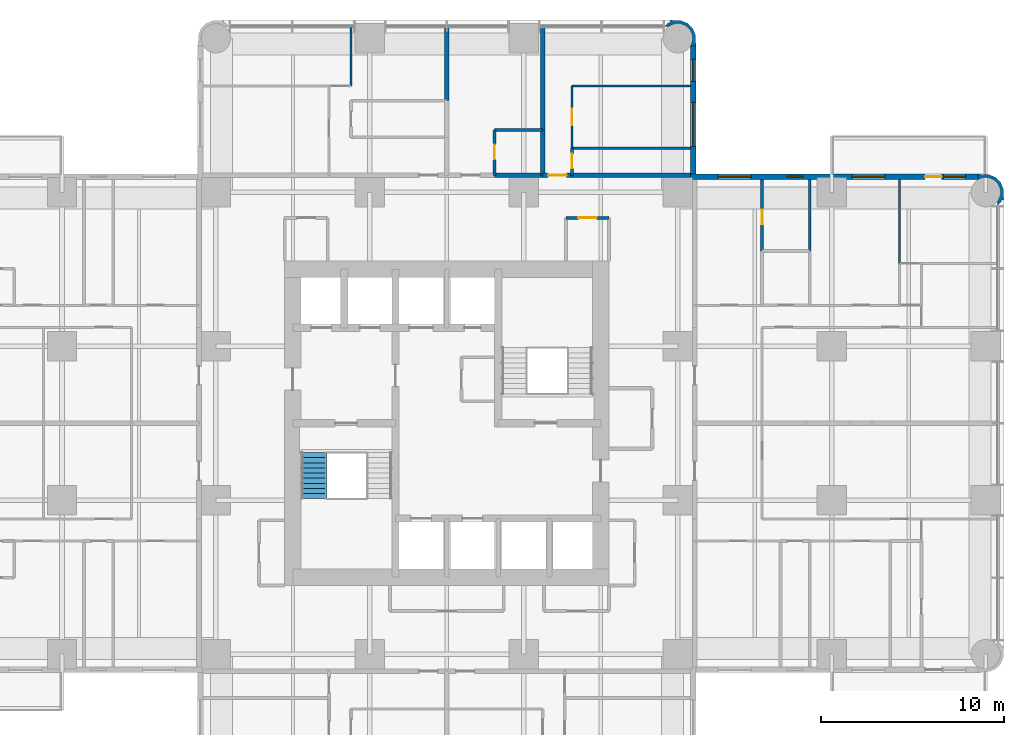
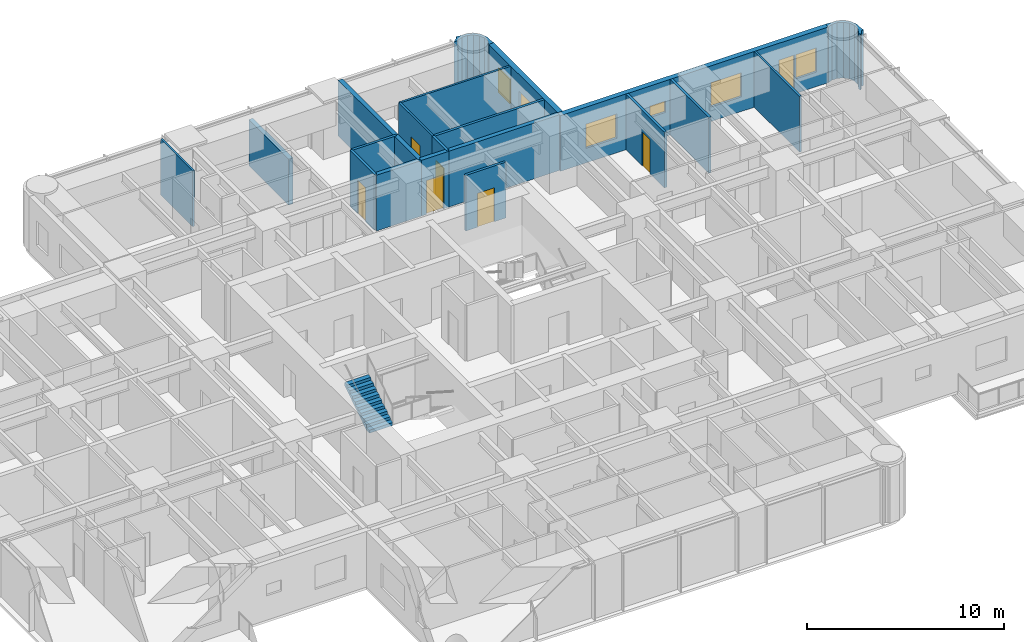
# One storey, part 12 of 15: 21 walls, 7 doors, 6 windows, 1 stair flight, 13 openings, 1 element without a shape of its own.
"""IFC4 building model written with IfcOpenShell, lengths in metres."""

from ifc_helpers import new_model, si_unit, direction, frame, frame_2d, origin, place, context, subcontext, project, spatial, polyline, rectangle, outline, extrude, material, layer, layer_set, type_object, element, fill, aggregate, save


model = new_model("IFC4")

# Units and contexts
model_context = context("Model", 3, precision=1e-05, world=origin(), true_north=direction((0.0, 1.0)))
body_context = subcontext(model_context, "Body", "Model", "MODEL_VIEW")
ifc_project = project(units=[si_unit("LENGTHUNIT", "METRE"), si_unit("AREAUNIT", "SQUARE_METRE"), si_unit("VOLUMEUNIT", "CUBIC_METRE"), si_unit("PLANEANGLEUNIT", "RADIAN"), si_unit("MASSUNIT", "GRAM", prefix="KILO")], contexts=[model_context])

# Site, building, storey
site_placement = place(None, origin())
site = spatial("IfcSite", under=ifc_project, at=site_placement, CompositionType="ELEMENT")
building_placement = place(site_placement, origin())
building = spatial("IfcBuilding", under=site, at=building_placement, Name="Torre Alcanfor", CompositionType="ELEMENT")
storey_placement = place(building_placement, frame((0.0, 0.0, 148.5)))
storey = spatial("IfcBuildingStorey", under=building, at=storey_placement, Name="L38", CompositionType="ELEMENT", Elevation=148.5)

# Wall
ifc_material_1 = material(Name="Concrete block masonry, hollow blocks NMX-C-404 9 MPa", Category="masonry")
ifc_layer_1 = layer(ifc_material_1, 0.25)
ifc_layer_set_1 = layer_set([ifc_layer_1], Name="Apartment entrance wall 250 EI 60")
wall_type_1 = type_object("IfcWallType", Name="Apartment entrance wall 250 EI 60", PredefinedType="PARTITIONING", material=ifc_layer_set_1)
wall_1_placement = place(storey_placement, frame((32.0, 42.925048828125, 0.0), z_axis=(0.0, 0.0, 1.0), x_axis=(1.0, 0.0, 0.0)))
element("IfcWall", 1, at=wall_1_placement, inside=storey, type_object=wall_type_1, Name="Partition L38-CORR / L38-N2A-BATH", PredefinedType="PARTITIONING", context=body_context, shape_type="SweptSolid", body=[
    extrude(rectangle(XDim=2.62890625, YDim=0.25, at=frame_2d((1.314453125, 0.0))), origin(), (0.0, 0.0, 1.0), 3.449951171875),
])

# Wall, opening, door
wall_2_placement = place(storey_placement, frame((34.62890625, 42.925048828125, 0.0), z_axis=(0.0, 0.0, 1.0), x_axis=(1.0, 0.0, 0.0)))
wall_2 = element("IfcWall", 2, at=wall_2_placement, inside=storey, type_object=wall_type_1, Name="Partition L38-CORR / L38-N2B-LIVING", PredefinedType="PARTITIONING", context=body_context, shape_type="SweptSolid", body=[
    extrude(rectangle(XDim=1.60009765625, YDim=0.25, at=frame_2d((0.800048828125, 0.0))), origin(), (0.0, 0.0, 1.0), 3.449951171875),
])
opening_1_placement = place(wall_2_placement, frame((0.300048828125, 0.0, 0.0)))
opening_1 = element("IfcOpeningElement", 3, at=opening_1_placement, cuts=wall_2, Name="Opening D-A1", PredefinedType="OPENING", context=body_context, shape_type="SweptSolid", body=[
    extrude(rectangle(XDim=1.0, YDim=2.10009765625, at=frame_2d((0.5, 1.050048828125))), frame((0.0, 0.135009765625, 0.0), z_axis=(0.0, -1.0, 0.0), x_axis=(1.0, 0.0, 0.0)), (0.0, 0.0, 1.0), 0.27001953125),
])
ifc_material_2 = material(Name="Galvanised steel sheet ASTM A653", Category="steel")
door_type_1 = type_object("IfcDoorType", Name="Apartment entrance door FD60 1000x2100", OperationType="SINGLE_SWING_LEFT", PredefinedType="DOOR", material=ifc_material_2)
door_1_placement = place(opening_1_placement, origin())
door_1 = element("IfcDoor", 4, at=door_1_placement, inside=storey, type_object=door_type_1, Name="Apartment entrance L38-N2B", OperationType="SINGLE_SWING_LEFT", OverallHeight=2.10009765625, OverallWidth=1.0, PredefinedType="DOOR", context=body_context, shape_type="SweptSolid", body=[
    extrude(rectangle(XDim=1.0, YDim=2.10009765625, at=frame_2d((0.5, 1.050048828125))), frame((0.0, 0.02490234375, 0.0), z_axis=(0.0, -1.0, 0.0), x_axis=(1.0, 0.0, 0.0)), (0.0, 0.0, 1.0), 0.050048828125),
])
fill(opening_1, door_1)

# Walls
wall_3_placement = place(storey_placement, frame((36.22900390625, 42.925048828125, 0.0), z_axis=(0.0, 0.0, 1.0), x_axis=(1.0, 0.0, 0.0)))
element("IfcWall", 5, at=wall_3_placement, inside=storey, type_object=wall_type_1, Name="Partition L38-CORR / L38-N2B-BATH", PredefinedType="PARTITIONING", context=body_context, shape_type="SweptSolid", body=[
    extrude(rectangle(XDim=6.470947265625, YDim=0.25, at=frame_2d((3.2353515625, 0.0))), origin(), (0.0, 0.0, 1.0), 3.449951171875),
])
ifc_material_3 = material(Name="Gypsum board on steel studs", Category="steel")
ifc_layer_2 = layer(ifc_material_3, 0.1201171875)
ifc_layer_set_2 = layer_set([ifc_layer_2], Name="Apartment partition 120")
wall_type_2 = type_object("IfcWallType", Name="Apartment partition 120", PredefinedType="PARTITIONING", material=ifc_layer_set_2)
wall_4_placement = place(storey_placement, frame((24.1708984375, 47.800048828125, 0.0), z_axis=(0.0, 0.0, 1.0), x_axis=(0.0, 1.0, 0.0)))
element("IfcWall", 6, at=wall_4_placement, inside=storey, type_object=wall_type_2, Name="Partition L38-N1-LIVING / L38-N1-MASTER", PredefinedType="PARTITIONING", context=body_context, shape_type="SweptSolid", body=[
    extrude(rectangle(XDim=3.25, YDim=0.1201171875, at=frame_2d((1.625, 0.0))), origin(), (0.0, 0.0, 1.0), 3.449951171875),
])
wall_5_placement = place(storey_placement, frame((42.699951171875, 47.800048828125, 0.0), z_axis=(0.0, 0.0, 1.0), x_axis=(-1.0, 0.0, 0.0)))
element("IfcWall", 7, at=wall_5_placement, inside=storey, type_object=wall_type_2, Name="Partition L38-N2B-LIVING / L38-N2B-MASTER", PredefinedType="PARTITIONING", context=body_context, shape_type="SweptSolid", body=[
    extrude(rectangle(XDim=6.470947265625, YDim=0.1201171875, at=frame_2d((3.2353515625, 0.0))), origin(), (0.0, 0.0, 1.0), 3.449951171875),
])

# Wall, opening, door
wall_6_placement = place(storey_placement, frame((36.22900390625, 47.800048828125, 0.0), z_axis=(0.0, 0.0, 1.0), x_axis=(0.0, -1.0, 0.0)))
wall_6 = element("IfcWall", 8, at=wall_6_placement, inside=storey, type_object=wall_type_2, Name="Partition L38-N2B-LIVING / L38-N2B-MASTER", PredefinedType="PARTITIONING", context=body_context, shape_type="SweptSolid", body=[
    extrude(rectangle(XDim=3.400146484375, YDim=0.1201171875, at=frame_2d((1.7001953125, 0.0))), origin(), (0.0, 0.0, 1.0), 3.449951171875),
])
opening_2_placement = place(wall_6_placement, frame((1.25, 0.0, 0.0)))
opening_2 = element("IfcOpeningElement", 9, at=opening_2_placement, cuts=wall_6, Name="Opening D-R1", PredefinedType="OPENING", context=body_context, shape_type="SweptSolid", body=[
    extrude(rectangle(XDim=0.89990234375, YDim=2.10009765625, at=frame_2d((0.449951171875, 1.050048828125))), frame((0.0, 0.070068359375, 0.0), z_axis=(0.0, -1.0, 0.0), x_axis=(1.0, 0.0, 0.0)), (0.0, 0.0, 1.0), 0.14013671875),
])
ifc_material_4 = material(Name="Timber", Category="wood")
door_type_2 = type_object("IfcDoorType", Name="Internal door 900x2100", OperationType="SINGLE_SWING_LEFT", PredefinedType="DOOR", material=ifc_material_4)
door_2_placement = place(opening_2_placement, origin())
door_2 = element("IfcDoor", 10, at=door_2_placement, inside=storey, type_object=door_type_2, Name="Door L38-N2B master", OperationType="SINGLE_SWING_LEFT", OverallHeight=2.10009765625, OverallWidth=0.89990234375, PredefinedType="DOOR", context=body_context, shape_type="SweptSolid", body=[
    extrude(rectangle(XDim=0.89990234375, YDim=2.10009765625, at=frame_2d((0.449951171875, 1.050048828125))), frame((0.0, 0.02490234375, 0.0), z_axis=(0.0, -1.0, 0.0), x_axis=(1.0, 0.0, 0.0)), (0.0, 0.0, 1.0), 0.050048828125),
])
fill(opening_2, door_2)

# Wall
wall_7_placement = place(storey_placement, frame((54.10009765625, 38.114013671875, 0.0), z_axis=(0.0, 0.0, 1.0), x_axis=(0.0, 1.0, 0.0)))
element("IfcWall", 11, at=wall_7_placement, inside=storey, type_object=wall_type_2, Name="Partition L38-E1-BED3 / L38-E1-MASTER", PredefinedType="PARTITIONING", context=body_context, shape_type="SweptSolid", body=[
    extrude(rectangle(XDim=4.5859375, YDim=0.1201171875, at=frame_2d((2.29296875, 0.0))), origin(), (0.0, 0.0, 1.0), 3.449951171875),
])

# Wall, openings, door, windows
ifc_material_5 = material(Name="Limestone cladding", Category="masonry")
ifc_layer_3 = layer(ifc_material_5, 0.0400390625, Name="Facing")
ifc_material_6 = material(Name="Ventilated air cavity")
ifc_layer_4 = layer(ifc_material_6, 0.02001953125, ventilated=True, Name="Ventilated joint")
ifc_material_7 = material(Name="Mineral wool insulation", Category="insulation")
ifc_layer_5 = layer(ifc_material_7, 0.10009765625, Name="Insulation")
ifc_material_8 = material(Name="Concrete f'c 35 MPa", Category="concrete")
ifc_layer_6 = layer(ifc_material_8, 0.139892578125, Name="Backing")
ifc_layer_set_3 = layer_set([ifc_layer_3, ifc_layer_4, ifc_layer_5, ifc_layer_6], Name="External wall stone-clad 300")
wall_type_3 = type_object("IfcWallType", Name="External wall stone-clad 300", PredefinedType="SOLIDWALL", material=ifc_layer_set_3)
wall_8_placement = place(storey_placement, frame((58.39990234375, 42.85009765625, 0.0), z_axis=(0.0, 0.0, 1.0), x_axis=(-1.0, 0.0, 0.0)))
wall_8 = element("IfcWall", 12, at=wall_8_placement, inside=storey, type_object=wall_type_3, Name="External wall L38 9", PredefinedType="SOLIDWALL", context=body_context, shape_type="SweptSolid", body=[
    extrude(rectangle(XDim=15.699951171875, YDim=0.300048828125, at=frame_2d((7.85009765625, 0.0))), origin(), (0.0, 0.0, 1.0), 3.449951171875),
])
opening_3_placement = place(wall_8_placement, frame((12.39990234375, 0.0, 0.89990234375)))
opening_3 = element("IfcOpeningElement", 13, at=opening_3_placement, cuts=wall_8, Name="Opening W2", PredefinedType="OPENING", context=body_context, shape_type="SweptSolid", body=[
    extrude(rectangle(XDim=1.800048828125, YDim=1.5, at=frame_2d((0.89990234375, 0.75))), frame((0.0, 0.159912109375, 0.0), z_axis=(0.0, -1.0, 0.0), x_axis=(1.0, 0.0, 0.0)), (0.0, 0.0, 1.0), 0.320068359375),
])
opening_4_placement = place(wall_8_placement, frame((9.550048828125, 0.0, 1.5)))
opening_4 = element("IfcOpeningElement", 14, at=opening_4_placement, cuts=wall_8, Name="Opening W3", PredefinedType="OPENING", context=body_context, shape_type="SweptSolid", body=[
    extrude(rectangle(XDim=0.89990234375, YDim=0.699951171875, at=frame_2d((0.449951171875, 0.35009765625))), frame((0.0, 0.159912109375, 0.0), z_axis=(0.0, -1.0, 0.0), x_axis=(1.0, 0.0, 0.0)), (0.0, 0.0, 1.0), 0.320068359375),
])
opening_5_placement = place(wall_8_placement, frame((5.10009765625, 0.0, 0.89990234375)))
opening_5 = element("IfcOpeningElement", 15, at=opening_5_placement, cuts=wall_8, Name="Opening W2", PredefinedType="OPENING", context=body_context, shape_type="SweptSolid", body=[
    extrude(rectangle(XDim=1.800048828125, YDim=1.5, at=frame_2d((0.89990234375, 0.75))), frame((0.0, 0.159912109375, 0.0), z_axis=(0.0, -1.0, 0.0), x_axis=(1.0, 0.0, 0.0)), (0.0, 0.0, 1.0), 0.320068359375),
])
opening_6_placement = place(wall_8_placement, frame((2.0, 0.0, 0.0)))
opening_6 = element("IfcOpeningElement", 16, at=opening_6_placement, cuts=wall_8, Name="Opening D-B1", PredefinedType="OPENING", context=body_context, shape_type="SweptSolid", body=[
    extrude(rectangle(XDim=0.89990234375, YDim=2.39990234375, at=frame_2d((0.449951171875, 1.199951171875))), frame((0.0, 0.159912109375, 0.0), z_axis=(0.0, -1.0, 0.0), x_axis=(1.0, 0.0, 0.0)), (0.0, 0.0, 1.0), 0.320068359375),
])
opening_7_placement = place(wall_8_placement, frame((0.699951171875, 0.0, 0.89990234375)))
opening_7 = element("IfcOpeningElement", 17, at=opening_7_placement, cuts=wall_8, Name="Opening W4", PredefinedType="OPENING", context=body_context, shape_type="SweptSolid", body=[
    extrude(rectangle(XDim=1.199951171875, YDim=1.5, at=frame_2d((0.60009765625, 0.75))), frame((0.0, 0.159912109375, 0.0), z_axis=(0.0, -1.0, 0.0), x_axis=(1.0, 0.0, 0.0)), (0.0, 0.0, 1.0), 0.320068359375),
])
ifc_material_9 = material(Name="Aluminium and glass", Category="aluminium")
door_type_3 = type_object("IfcDoorType", Name="Balcony door glazed 900x2400", OperationType="SINGLE_SWING_LEFT", PredefinedType="DOOR", material=ifc_material_9)
door_3_placement = place(opening_6_placement, origin())
door_3 = element("IfcDoor", 18, at=door_3_placement, inside=storey, type_object=door_type_3, Name="Balcony door L38-E1", OperationType="SINGLE_SWING_RIGHT", OverallHeight=2.39990234375, OverallWidth=0.89990234375, PredefinedType="DOOR", context=body_context, shape_type="SweptSolid", body=[
    extrude(rectangle(XDim=0.89990234375, YDim=2.39990234375, at=frame_2d((0.449951171875, 1.199951171875))), frame((0.0, 0.02490234375, 0.0), z_axis=(0.0, -1.0, 0.0), x_axis=(1.0, 0.0, 0.0)), (0.0, 0.0, 1.0), 0.050048828125),
])
fill(opening_6, door_3)
ifc_material_10 = material(Name="Aluminium frame with clear double glazing", Category="aluminium")
window_type_1 = type_object("IfcWindowType", Name="Window bathroom 900x700", PartitioningType="SINGLE_PANEL", PredefinedType="WINDOW", material=ifc_material_10)
window_1_placement = place(opening_4_placement, origin())
window_1 = element("IfcWindow", 19, at=window_1_placement, inside=storey, type_object=window_type_1, Name="Window W3 L38-E1", OverallHeight=0.699951171875, OverallWidth=0.89990234375, PartitioningType="SINGLE_PANEL", PredefinedType="WINDOW", context=body_context, shape_type="SweptSolid", body=[
    extrude(rectangle(XDim=0.89990234375, YDim=0.699951171875, at=frame_2d((0.449951171875, 0.35009765625))), frame((0.0, 0.030029296875, 0.0), z_axis=(0.0, -1.0, 0.0), x_axis=(1.0, 0.0, 0.0)), (0.0, 0.0, 1.0), 0.06005859375),
])
fill(opening_4, window_1)
ifc_material_11 = material(Name="Aluminium frame with clear double glazing", Category="aluminium")
window_type_2 = type_object("IfcWindowType", Name="Window bedroom 1200x1500", PartitioningType="SINGLE_PANEL", PredefinedType="WINDOW", material=ifc_material_11)
window_2_placement = place(opening_7_placement, origin())
window_2 = element("IfcWindow", 20, at=window_2_placement, inside=storey, type_object=window_type_2, Name="Window W4 L38-E1", OverallHeight=1.5, OverallWidth=1.199951171875, PartitioningType="SINGLE_PANEL", PredefinedType="WINDOW", context=body_context, shape_type="SweptSolid", body=[
    extrude(rectangle(XDim=1.199951171875, YDim=1.5, at=frame_2d((0.60009765625, 0.75))), frame((0.0, 0.030029296875, 0.0), z_axis=(0.0, -1.0, 0.0), x_axis=(1.0, 0.0, 0.0)), (0.0, 0.0, 1.0), 0.06005859375),
])
fill(opening_7, window_2)
ifc_material_12 = material(Name="Aluminium frame with clear double glazing", Category="aluminium")
window_type_3 = type_object("IfcWindowType", Name="Window bedroom 1800x1500", PartitioningType="SINGLE_PANEL", PredefinedType="WINDOW", material=ifc_material_12)
window_3_placement = place(opening_3_placement, origin())
window_3 = element("IfcWindow", 21, at=window_3_placement, inside=storey, type_object=window_type_3, Name="Window W2 L38-E1", OverallHeight=1.5, OverallWidth=1.800048828125, PartitioningType="SINGLE_PANEL", PredefinedType="WINDOW", context=body_context, shape_type="SweptSolid", body=[
    extrude(rectangle(XDim=1.800048828125, YDim=1.5, at=frame_2d((0.89990234375, 0.75))), frame((0.0, 0.030029296875, 0.0), z_axis=(0.0, -1.0, 0.0), x_axis=(1.0, 0.0, 0.0)), (0.0, 0.0, 1.0), 0.06005859375),
])
fill(opening_3, window_3)
window_4_placement = place(opening_5_placement, origin())
window_4 = element("IfcWindow", 22, at=window_4_placement, inside=storey, type_object=window_type_3, Name="Window W2 L38-E1", OverallHeight=1.5, OverallWidth=1.800048828125, PartitioningType="SINGLE_PANEL", PredefinedType="WINDOW", context=body_context, shape_type="SweptSolid", body=[
    extrude(rectangle(XDim=1.800048828125, YDim=1.5, at=frame_2d((0.89990234375, 0.75))), frame((0.0, 0.030029296875, 0.0), z_axis=(0.0, -1.0, 0.0), x_axis=(1.0, 0.0, 0.0)), (0.0, 0.0, 1.0), 0.06005859375),
])
fill(opening_5, window_4)

# Wall, openings, windows
wall_9_placement = place(storey_placement, frame((42.85009765625, 43.0, 0.0), z_axis=(0.0, 0.0, 1.0), x_axis=(0.0, 1.0, 0.0)))
wall_9 = element("IfcWall", 23, at=wall_9_placement, inside=storey, type_object=wall_type_3, Name="External wall L38 10", PredefinedType="SOLIDWALL", context=body_context, shape_type="SweptSolid", body=[
    extrude(rectangle(XDim=7.0, YDim=0.300048828125, at=frame_2d((3.5, 0.0))), origin(), (0.0, 0.0, 1.0), 3.449951171875),
])
opening_8_placement = place(wall_9_placement, frame((1.5, 0.0, 0.89990234375)))
opening_8 = element("IfcOpeningElement", 24, at=opening_8_placement, cuts=wall_9, Name="Opening W1", PredefinedType="OPENING", context=body_context, shape_type="SweptSolid", body=[
    extrude(rectangle(XDim=2.39990234375, YDim=1.5, at=frame_2d((1.199951171875, 0.75))), frame((0.0, 0.159912109375, 0.0), z_axis=(0.0, -1.0, 0.0), x_axis=(1.0, 0.0, 0.0)), (0.0, 0.0, 1.0), 0.320068359375),
])
opening_9_placement = place(wall_9_placement, frame((5.050048828125, 0.0, 0.89990234375)))
opening_9 = element("IfcOpeningElement", 25, at=opening_9_placement, cuts=wall_9, Name="Opening W4", PredefinedType="OPENING", context=body_context, shape_type="SweptSolid", body=[
    extrude(rectangle(XDim=1.199951171875, YDim=1.5, at=frame_2d((0.60009765625, 0.75))), frame((0.0, 0.159912109375, 0.0), z_axis=(0.0, -1.0, 0.0), x_axis=(1.0, 0.0, 0.0)), (0.0, 0.0, 1.0), 0.320068359375),
])
window_5_placement = place(opening_9_placement, origin())
window_5 = element("IfcWindow", 26, at=window_5_placement, inside=storey, type_object=window_type_2, Name="Window W4 L38-N2", OverallHeight=1.5, OverallWidth=1.199951171875, PartitioningType="SINGLE_PANEL", PredefinedType="WINDOW", context=body_context, shape_type="SweptSolid", body=[
    extrude(rectangle(XDim=1.199951171875, YDim=1.5, at=frame_2d((0.60009765625, 0.75))), frame((0.0, 0.030029296875, 0.0), z_axis=(0.0, -1.0, 0.0), x_axis=(1.0, 0.0, 0.0)), (0.0, 0.0, 1.0), 0.06005859375),
])
fill(opening_9, window_5)
ifc_material_13 = material(Name="Aluminium frame with clear double glazing", Category="aluminium")
window_type_4 = type_object("IfcWindowType", Name="Window bedroom 2400x1500", PartitioningType="SINGLE_PANEL", PredefinedType="WINDOW", material=ifc_material_13)
window_6_placement = place(opening_8_placement, origin())
window_6 = element("IfcWindow", 27, at=window_6_placement, inside=storey, type_object=window_type_4, Name="Window W1 L38-N2", OverallHeight=1.5, OverallWidth=2.39990234375, PartitioningType="SINGLE_PANEL", PredefinedType="WINDOW", context=body_context, shape_type="SweptSolid", body=[
    extrude(rectangle(XDim=2.39990234375, YDim=1.5, at=frame_2d((1.199951171875, 0.75))), frame((0.0, 0.030029296875, 0.0), z_axis=(0.0, -1.0, 0.0), x_axis=(1.0, 0.0, 0.0)), (0.0, 0.0, 1.0), 0.06005859375),
])
fill(opening_8, window_6)

# Walls
ifc_material_14 = material(Name="Concrete block masonry, hollow blocks NMX-C-404 9 MPa", Category="masonry")
ifc_layer_7 = layer(ifc_material_14, 0.25)
ifc_layer_set_4 = layer_set([ifc_layer_7], Name="Party wall 250 EI 60")
wall_type_4 = type_object("IfcWallType", Name="Party wall 250 EI 60", PredefinedType="PARTITIONING", material=ifc_layer_set_4)
wall_10_placement = place(storey_placement, frame((29.39990234375, 51.050048828125, 0.0), z_axis=(0.0, 0.0, 1.0), x_axis=(0.0, -1.0, 0.0)))
element("IfcWall", 28, at=wall_10_placement, inside=storey, type_object=wall_type_4, Name="Partition L38-N1-LIVING / L38-N2A-STUDIO", PredefinedType="PARTITIONING", context=body_context, shape_type="SweptSolid", body=[
    extrude(rectangle(XDim=4.050048828125, YDim=0.25, at=frame_2d((2.02490234375, 0.0))), origin(), (0.0, 0.0, 1.0), 2.847900390625),
])
wall_11_placement = place(storey_placement, frame((34.62890625, 51.050048828125, 0.0), z_axis=(0.0, 0.0, 1.0), x_axis=(0.0, -1.0, 0.0)))
element("IfcWall", 29, at=wall_11_placement, inside=storey, type_object=wall_type_4, Name="Partition L38-N2A-STUDIO / L38-N2B-LIVING", PredefinedType="PARTITIONING", context=body_context, shape_type="SweptSolid", body=[
    extrude(rectangle(XDim=5.650146484375, YDim=0.25, at=frame_2d((2.8251953125, 0.0))), origin(), (0.0, 0.0, 1.0), 3.449951171875),
])
wall_12_placement = place(storey_placement, frame((34.62890625, 45.39990234375, 0.0), z_axis=(0.0, 0.0, 1.0), x_axis=(0.0, -1.0, 0.0)))
element("IfcWall", 30, at=wall_12_placement, inside=storey, type_object=wall_type_4, Name="Partition L38-N2A-BATH / L38-N2B-LIVING", PredefinedType="PARTITIONING", context=body_context, shape_type="SweptSolid", body=[
    extrude(rectangle(XDim=2.474853515625, YDim=0.25, at=frame_2d((1.2373046875, 0.0))), origin(), (0.0, 0.0, 1.0), 3.449951171875),
])

# Wall, opening, door
ifc_material_15 = material(Name="Concrete block masonry, hollow blocks NMX-C-404 9 MPa", Category="masonry")
ifc_layer_8 = layer(ifc_material_15, 0.14990234375)
ifc_layer_set_5 = layer_set([ifc_layer_8], Name="Residents' room partition 150")
wall_type_5 = type_object("IfcWallType", Name="Residents' room partition 150", PredefinedType="PARTITIONING", material=ifc_layer_set_5)
wall_13_placement = place(storey_placement, frame((38.25, 40.60009765625, 0.0), z_axis=(0.0, 0.0, 1.0), x_axis=(-1.0, 0.0, 0.0)))
wall_13 = element("IfcWall", 31, at=wall_13_placement, inside=storey, type_object=wall_type_5, Name="Partition L38-CORR / L38-G02", PredefinedType="PARTITIONING", context=body_context, shape_type="SweptSolid", body=[
    extrude(rectangle(XDim=2.35009765625, YDim=0.14990234375, at=frame_2d((1.175048828125, 0.0))), origin(), (0.0, 0.0, 1.0), 3.449951171875),
])
opening_10_placement = place(wall_13_placement, frame((0.675048828125, 0.0, 0.0)))
opening_10 = element("IfcOpeningElement", 32, at=opening_10_placement, cuts=wall_13, Name="Opening D-M1", PredefinedType="OPENING", context=body_context, shape_type="SweptSolid", body=[
    extrude(rectangle(XDim=1.0, YDim=2.10009765625, at=frame_2d((0.5, 1.050048828125))), frame((0.0, 0.0849609375, 0.0), z_axis=(0.0, -1.0, 0.0), x_axis=(1.0, 0.0, 0.0)), (0.0, 0.0, 1.0), 0.169921875),
])
ifc_material_16 = material(Name="Timber", Category="wood")
door_type_4 = type_object("IfcDoorType", Name="Residents' room door 1000x2100", OperationType="SINGLE_SWING_LEFT", PredefinedType="DOOR", material=ifc_material_16)
door_4_placement = place(opening_10_placement, origin())
door_4 = element("IfcDoor", 33, at=door_4_placement, inside=storey, type_object=door_type_4, Name="Door L38-G02 parcel room", OperationType="SINGLE_SWING_LEFT", OverallHeight=2.10009765625, OverallWidth=1.0, PredefinedType="DOOR", context=body_context, shape_type="SweptSolid", body=[
    extrude(rectangle(XDim=1.0, YDim=2.10009765625, at=frame_2d((0.5, 1.050048828125))), frame((0.0, 0.02490234375, 0.0), z_axis=(0.0, -1.0, 0.0), x_axis=(1.0, 0.0, 0.0)), (0.0, 0.0, 1.0), 0.050048828125),
])
fill(opening_10, door_4)

# Walls
ifc_layer_9 = layer(ifc_material_5, 0.0400390625, Name="Facing")
ifc_layer_10 = layer(ifc_material_6, 0.02001953125, ventilated=True, Name="Ventilated joint")
ifc_layer_11 = layer(ifc_material_7, 0.10009765625, Name="Insulation")
ifc_layer_12 = layer(ifc_material_8, 0.139892578125, Name="Backing")
ifc_layer_set_6 = layer_set([ifc_layer_9, ifc_layer_10, ifc_layer_11, ifc_layer_12], Name="Rounded corner pier stone-clad 300")
wall_type_6 = type_object("IfcWallType", Name="Rounded corner pier stone-clad 300", PredefinedType="SOLIDWALL", material=ifc_layer_set_6)
wall_14_placement = place(storey_placement, frame((59.395317512, 41.351928198, 0.0), z_axis=(0.0, 0.0, 1.0), x_axis=(0.93923434088, 0.343276641956, 0.0)))
element("IfcWall", 34, at=wall_14_placement, inside=storey, type_object=wall_type_6, Name="Corner pier L38 18", PredefinedType="SOLIDWALL", context=body_context, shape_type="SweptSolid", body=[
    extrude(outline(polyline([(0.5319791374717469, 0.3931546875748424), (0.6305370795958255, 0.662817672163305), (0.614285462759775, 1.044364627998893), (0.4533652442516045, 1.3906676424071163), (0.17222000156622597, 1.6491237258576117), (-0.09744298302223653, 1.7476816679816904), (-0.36918355555989557, 1.8896284089825286), (-0.509101456401082, 1.6213052972671853), (-0.49052773042177455, 1.6145168675800676), (-0.47941981662998623, 1.6086375342973744), (-0.2113919059229058, 1.6201101578142136), (0.08785145707704622, 1.5107410128550955), (0.32257352025202113, 1.2952455132706726), (0.4567838912150332, 1.0060128786275908), (0.47036434537540095, 0.687566849311498), (0.36107900819019806, 0.38855279157054984), (0.14535420334677107, 0.1539145361694899), (0.10800994465551556, 0.13637103018492347), (0.030906792653685306, -0.07458980809856762), (0.2410056377422186, 0.023039004395991533), (0.3334055822831027, 0.12365495968313633), (0.46532832919806827, 0.0941544704520565), (0.5319791374717469, 0.3931546875748424)])), origin(), (0.0, 0.0, 1.0), 3.449951171875),
])
wall_15_placement = place(storey_placement, frame((42.817059488, 50.073176205, 0.0), z_axis=(0.0, 0.0, 1.0), x_axis=(0.343276641956, 0.93923434088, 0.0)))
element("IfcWall", 35, at=wall_15_placement, inside=storey, type_object=wall_type_6, Name="Corner pier L38 19", PredefinedType="SOLIDWALL", context=body_context, shape_type="SweptSolid", body=[
    extrude(outline(polyline([(0.2655808672444785, -0.0550807599050476), (0.5354731570919448, 0.04356098999294611), (0.8166183997773234, 0.30201707344344164), (0.9775386182854939, 0.6483200878516648), (0.9937902351215443, 1.0298670436872528), (0.8952322929974657, 1.2995300282757154), (0.8283521794647835, 1.5984464376245864), (0.6966587378088214, 1.5690297561674216), (0.6042587932679374, 1.6696457114545662), (0.39415994817940425, 1.7672745239491254), (0.47126310018123446, 1.5563136856656343), (0.50860735887249, 1.538770179681068), (0.7241028584569131, 1.304048116506093), (0.833388195642116, 1.0050340587651447), (0.8200370467407522, 0.686671837222967), (0.68582667577774, 0.3974392025798854), (0.4511046126027651, 0.18194370299546214), (0.15186124960281305, 0.07257455803634424), (-0.11616666110426738, 0.08404718155318341), (-0.12750388015505948, 0.07808404049657515), (-0.14607760613436685, 0.07129561080945748), (-0.0059304000341767055, -0.19694369313197083), (0.2655808672444785, -0.0550807599050476)])), origin(), (0.0, 0.0, 1.0), 3.449951171875),
])
ifc_material_17 = material(Name="Cement board on steel studs", Category="steel")
ifc_layer_13 = layer(ifc_material_17, 0.14990234375)
ifc_layer_set_7 = layer_set([ifc_layer_13], Name="Wet area partition 150")
wall_type_7 = type_object("IfcWallType", Name="Wet area partition 150", PredefinedType="PARTITIONING", material=ifc_layer_set_7)
wall_16_placement = place(storey_placement, frame((34.62890625, 45.39990234375, 0.0), z_axis=(0.0, 0.0, 1.0), x_axis=(-1.0, 0.0, 0.0)))
element("IfcWall", 36, at=wall_16_placement, inside=storey, type_object=wall_type_7, Name="Partition L38-N2A-STUDIO / L38-N2A-BATH", PredefinedType="PARTITIONING", context=body_context, shape_type="SweptSolid", body=[
    extrude(rectangle(XDim=2.62890625, YDim=0.14990234375, at=frame_2d((1.314453125, 0.0))), origin(), (0.0, 0.0, 1.0), 3.449951171875),
])

# Wall, opening, door
wall_17_placement = place(storey_placement, frame((32.0, 45.39990234375, 0.0), z_axis=(0.0, 0.0, 1.0), x_axis=(0.0, -1.0, 0.0)))
wall_17 = element("IfcWall", 37, at=wall_17_placement, inside=storey, type_object=wall_type_7, Name="Partition L38-N2A-STUDIO / L38-N2A-BATH", PredefinedType="PARTITIONING", context=body_context, shape_type="SweptSolid", body=[
    extrude(rectangle(XDim=2.474853515625, YDim=0.14990234375, at=frame_2d((1.2373046875, 0.0))), origin(), (0.0, 0.0, 1.0), 3.449951171875),
])
opening_11_placement = place(wall_17_placement, frame((0.800048828125, 0.0, 0.0)))
opening_11 = element("IfcOpeningElement", 38, at=opening_11_placement, cuts=wall_17, Name="Opening D-R2", PredefinedType="OPENING", context=body_context, shape_type="SweptSolid", body=[
    extrude(rectangle(XDim=0.800048828125, YDim=2.10009765625, at=frame_2d((0.39990234375, 1.050048828125))), frame((0.0, 0.0849609375, 0.0), z_axis=(0.0, -1.0, 0.0), x_axis=(1.0, 0.0, 0.0)), (0.0, 0.0, 1.0), 0.169921875),
])
ifc_material_18 = material(Name="Timber", Category="wood")
door_type_5 = type_object("IfcDoorType", Name="Bathroom door 800x2100", OperationType="SINGLE_SWING_LEFT", PredefinedType="DOOR", material=ifc_material_18)
door_5_placement = place(opening_11_placement, origin())
door_5 = element("IfcDoor", 39, at=door_5_placement, inside=storey, type_object=door_type_5, Name="Door L38-N2A bath", OperationType="SINGLE_SWING_LEFT", OverallHeight=2.10009765625, OverallWidth=0.800048828125, PredefinedType="DOOR", context=body_context, shape_type="SweptSolid", body=[
    extrude(rectangle(XDim=0.800048828125, YDim=2.10009765625, at=frame_2d((0.39990234375, 1.050048828125))), frame((0.0, 0.02490234375, 0.0), z_axis=(0.0, -1.0, 0.0), x_axis=(1.0, 0.0, 0.0)), (0.0, 0.0, 1.0), 0.050048828125),
])
fill(opening_11, door_5)

wall_18_placement = place(storey_placement, frame((36.22900390625, 44.39990234375, 0.0), z_axis=(0.0, 0.0, 1.0), x_axis=(0.0, -1.0, 0.0)))
wall_18 = element("IfcWall", 40, at=wall_18_placement, inside=storey, type_object=wall_type_7, Name="Partition L38-N2B-LIVING / L38-N2B-BATH", PredefinedType="PARTITIONING", context=body_context, shape_type="SweptSolid", body=[
    extrude(rectangle(XDim=1.474853515625, YDim=0.14990234375, at=frame_2d((0.7373046875, 0.0))), origin(), (0.0, 0.0, 1.0), 3.449951171875),
])
opening_12_placement = place(wall_18_placement, frame((0.300048828125, 0.0, 0.0)))
opening_12 = element("IfcOpeningElement", 41, at=opening_12_placement, cuts=wall_18, Name="Opening D-R2", PredefinedType="OPENING", context=body_context, shape_type="SweptSolid", body=[
    extrude(rectangle(XDim=0.800048828125, YDim=2.10009765625, at=frame_2d((0.39990234375, 1.050048828125))), frame((0.0, 0.0849609375, 0.0), z_axis=(0.0, -1.0, 0.0), x_axis=(1.0, 0.0, 0.0)), (0.0, 0.0, 1.0), 0.169921875),
])
door_6_placement = place(opening_12_placement, origin())
door_6 = element("IfcDoor", 42, at=door_6_placement, inside=storey, type_object=door_type_5, Name="Door L38-N2B bath", OperationType="SINGLE_SWING_LEFT", OverallHeight=2.10009765625, OverallWidth=0.800048828125, PredefinedType="DOOR", context=body_context, shape_type="SweptSolid", body=[
    extrude(rectangle(XDim=0.800048828125, YDim=2.10009765625, at=frame_2d((0.39990234375, 1.050048828125))), frame((0.0, 0.02490234375, 0.0), z_axis=(0.0, -1.0, 0.0), x_axis=(1.0, 0.0, 0.0)), (0.0, 0.0, 1.0), 0.050048828125),
])
fill(opening_12, door_6)

# Wall
wall_19_placement = place(storey_placement, frame((36.22900390625, 44.39990234375, 0.0), z_axis=(0.0, 0.0, 1.0), x_axis=(1.0, 0.0, 0.0)))
element("IfcWall", 43, at=wall_19_placement, inside=storey, type_object=wall_type_7, Name="Partition L38-N2B-BATH / L38-N2B-MASTER", PredefinedType="PARTITIONING", context=body_context, shape_type="SweptSolid", body=[
    extrude(rectangle(XDim=6.470947265625, YDim=0.14990234375, at=frame_2d((3.2353515625, 0.0))), origin(), (0.0, 0.0, 1.0), 3.449951171875),
])

# Wall, opening, door
wall_20_placement = place(storey_placement, frame((46.60009765625, 38.800048828125, 0.0), z_axis=(0.0, 0.0, 1.0), x_axis=(0.0, 1.0, 0.0)))
wall_20 = element("IfcWall", 44, at=wall_20_placement, inside=storey, type_object=wall_type_7, Name="Partition L38-E1-SERV / L38-E1-SBATH", PredefinedType="PARTITIONING", context=body_context, shape_type="SweptSolid", body=[
    extrude(rectangle(XDim=3.89990234375, YDim=0.14990234375, at=frame_2d((1.949951171875, 0.0))), origin(), (0.0, 0.0, 1.0), 3.449951171875),
])
opening_13_placement = place(wall_20_placement, frame((1.449951171875, 0.0, 0.0)))
opening_13 = element("IfcOpeningElement", 45, at=opening_13_placement, cuts=wall_20, Name="Opening D-R2", PredefinedType="OPENING", context=body_context, shape_type="SweptSolid", body=[
    extrude(rectangle(XDim=0.800048828125, YDim=2.10009765625, at=frame_2d((0.39990234375, 1.050048828125))), frame((0.0, 0.0849609375, 0.0), z_axis=(0.0, -1.0, 0.0), x_axis=(1.0, 0.0, 0.0)), (0.0, 0.0, 1.0), 0.169921875),
])
door_7_placement = place(opening_13_placement, frame((0.800048828125, 0.0, 0.0), z_axis=(0.0, 0.0, 1.0), x_axis=(-1.0, 0.0, 0.0)))
door_7 = element("IfcDoor", 46, at=door_7_placement, inside=storey, type_object=door_type_5, Name="Door L38-E1 sbath", OperationType="SINGLE_SWING_RIGHT", OverallHeight=2.10009765625, OverallWidth=0.800048828125, PredefinedType="DOOR", context=body_context, shape_type="SweptSolid", body=[
    extrude(rectangle(XDim=0.800048828125, YDim=2.10009765625, at=frame_2d((0.400146484375, 1.050048828125))), frame((0.0, 0.025146484375, 0.0), z_axis=(0.0, -1.0, 0.0), x_axis=(1.0, 0.0, 0.0)), (0.0, 0.0, 1.0), 0.050048828125),
])
fill(opening_13, door_7)

# Wall
wall_21_placement = place(storey_placement, frame((49.199951171875, 38.800048828125, 0.0), z_axis=(0.0, 0.0, 1.0), x_axis=(0.0, 1.0, 0.0)))
element("IfcWall", 47, at=wall_21_placement, inside=storey, type_object=wall_type_7, Name="Partition L38-E1-SBATH / L38-E1-BED3", PredefinedType="PARTITIONING", context=body_context, shape_type="SweptSolid", body=[
    extrude(rectangle(XDim=3.89990234375, YDim=0.14990234375, at=frame_2d((1.949951171875, 0.0))), origin(), (0.0, 0.0, 1.0), 3.449951171875),
])

# Stair, stair flight
ifc_material_19 = material(Name="Concrete f'c 35 MPa", Category="concrete")
stair_type = type_object("IfcStairType", Name="Exit stair S1 1400 wide", PredefinedType="HALF_TURN_STAIR", material=ifc_material_19)
stair_placement = place(storey_placement, origin())
stair = element("IfcStair", 48, at=stair_placement, inside=storey, type_object=stair_type, Name="Stair S1 L38 to L39", PredefinedType="HALF_TURN_STAIR")
ifc_material_20 = material(Name="Concrete f'c 35 MPa", Category="concrete")
stair_flight_type = type_object("IfcStairFlightType", Name="Stair flight 1400", PredefinedType="STRAIGHT", material=ifc_material_20)
stair_flight_placement = place(storey_placement, frame((22.14990234375, 25.280029296875, 1.800048828125), z_axis=(0.0, 0.0, 1.0), x_axis=(0.0, 1.0, 0.0)))
stair_flight = element("IfcStairFlight", 49, at=stair_flight_placement, type_object=stair_flight_type, Name="S1 flight 2", NumberOfRisers=10, NumberOfTreads=9, PredefinedType="STRAIGHT", RiserHeight=0.18, TreadLength=0.28, context=body_context, shape_type="SweptSolid", body=[
    extrude(outline(polyline([(0.0, 0.0), (0.0, 0.179931640625), (0.280029296875, 0.179931640625), (0.280029296875, 0.360107421875), (0.56005859375, 0.360107421875), (0.56005859375, 0.5400390625), (0.840087890625, 0.5400390625), (0.840087890625, 0.719970703125), (1.1201171875, 0.719970703125), (1.1201171875, 0.89990234375), (1.39990234375, 0.89990234375), (1.39990234375, 1.080078125), (1.679931640625, 1.080078125), (1.679931640625, 1.260009765625), (1.9599609375, 1.260009765625), (1.9599609375, 1.43994140625), (2.239990234375, 1.43994140625), (2.239990234375, 1.6201171875), (2.52001953125, 1.6201171875), (2.52001953125, 1.800048828125), (2.52001953125, 1.44189453125), (0.277099609375, 0.0), (0.0, 0.0)])), frame((0.0, 0.699951171875, 0.0), z_axis=(0.0, -1.0, 0.0), x_axis=(1.0, 0.0, 0.0)), (0.0, 0.0, 1.0), 1.39990234375),
])
aggregate(stair, [stair_flight])

save(model, "model.ifc")
